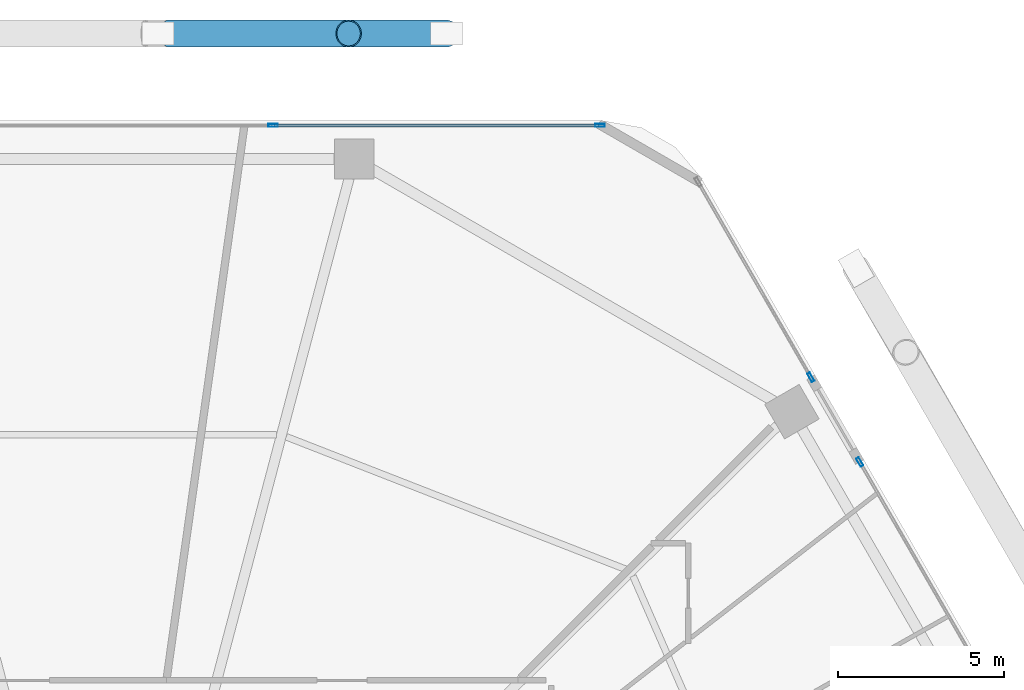
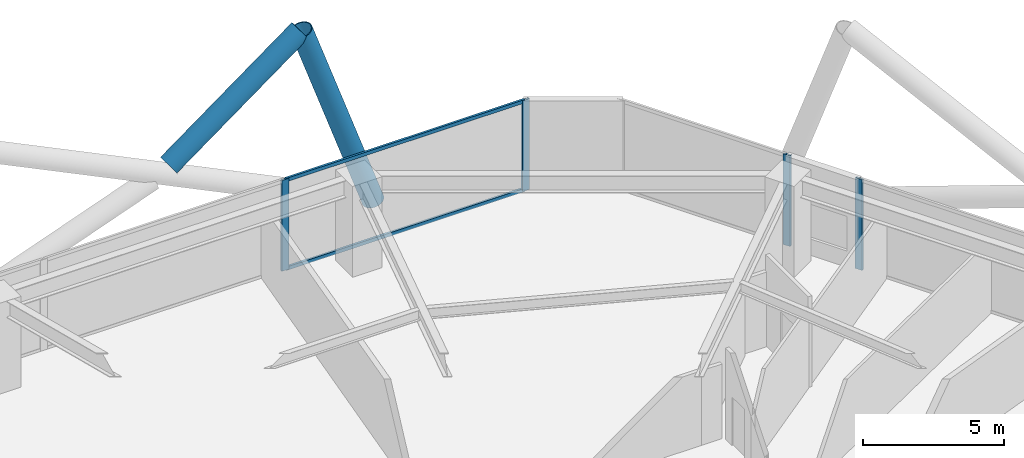
# One storey, part 21 of 28: 8 members, 3 elements without a shape of their own.
"""IFC4 building model written with IfcOpenShell, lengths in metres."""

import ifcopenshell
import ifcopenshell.guid

model = None  # the IFC model being written
_history = None  # IfcOwnerHistory: only IFC2X3 demands one
_inside = {}  # id of a spatial element -> (the spatial element, [elements in it])
_under = {}  # id of a project, library or spatial element -> (it, [spatial elements below it])
_declared = {}  # id of a project -> (the project, [libraries it declares])
_typed = {}  # id of a type object -> (the type object, [elements of that type])
_made_of = {}  # id of a material, layer set ... -> (it, [elements and type objects made of it])


def new_model(schema):
    """Start an empty IFC model of exactly this schema.

    Asked for "IFC4X3", IfcOpenShell would pick the latest addendum, in which some entities
    have other attributes; the version numbers below select the first issue.
    IFC2X3 requires an IfcOwnerHistory on every rooted entity: one is made here for all.
    """
    global model, _history
    if schema == "IFC4X3":
        model = ifcopenshell.file(schema_version=(4, 3, 0, 0))
    else:
        model = ifcopenshell.file(schema=schema)
    _inside.clear()
    _under.clear()
    _declared.clear()
    _typed.clear()
    _made_of.clear()
    _history = None
    if model.schema == "IFC2X3":
        org = make("IfcOrganization", Name="unknown")
        user = make(
            "IfcPersonAndOrganization",
            ThePerson=make("IfcPerson", FamilyName="unknown"),
            TheOrganization=org,
        )
        app = make(
            "IfcApplication",
            ApplicationDeveloper=org,
            Version="unknown",
            ApplicationFullName="unknown",
            ApplicationIdentifier="unknown",
        )
        _history = make(
            "IfcOwnerHistory",
            OwningUser=user,
            OwningApplication=app,
            ChangeAction="ADDED",
            CreationDate=0,
        )
    return model


def make(cls, **values):
    """One entity of the class cls with the attributes given. An attribute that is None is left unset."""
    return model.create_entity(
        cls, **{name: value for name, value in values.items() if value is not None}
    )


def rooted(cls, **values):
    """An entity with a GlobalId (a new one), such as an element, a storey or a relation."""
    return make(cls, GlobalId=ifcopenshell.guid.new(), OwnerHistory=_history, **values)


def si_unit(unit_type, name, prefix=None):
    """IfcSIUnit, for example si_unit("LENGTHUNIT", "METRE", prefix="MILLI")."""
    return make("IfcSIUnit", UnitType=unit_type, Prefix=prefix, Name=name)


def assignment(units):
    """IfcUnitAssignment: the units of a project."""
    return None if units is None else make("IfcUnitAssignment", Units=units)


def point(xyz):
    """IfcCartesianPoint."""
    return None if xyz is None else make("IfcCartesianPoint", Coordinates=xyz)


def direction(xyz):
    """IfcDirection."""
    return None if xyz is None else make("IfcDirection", DirectionRatios=xyz)


def frame(location, z_axis=None, x_axis=None):
    """IfcAxis2Placement3D, a coordinate frame: its origin and axes. An axis left out is left unset."""
    return make(
        "IfcAxis2Placement3D",
        Location=point(location),
        Axis=direction(z_axis),
        RefDirection=direction(x_axis),
    )


def frame_2d(location, x_axis=None):
    """IfcAxis2Placement2D, a coordinate frame in the plane: its origin and x axis."""
    return make(
        "IfcAxis2Placement2D", Location=point(location), RefDirection=direction(x_axis)
    )


def origin():
    """The frame at (0, 0, 0) with its axes left unset."""
    return frame((0.0, 0.0, 0.0))


def origin_2d():
    """The frame at (0, 0) in the plane with its x axis left unset."""
    return frame_2d((0.0, 0.0))


def place(relative_to, where):
    """IfcLocalPlacement: puts the frame where relative to a parent placement (None: the world)."""
    return make(
        "IfcLocalPlacement", PlacementRelTo=relative_to, RelativePlacement=where
    )


def context(
    kind, dimensions, precision=None, world=None, true_north=None, identifier=None
):
    """IfcGeometricRepresentationContext, for example the 3D "Model" context."""
    return make(
        "IfcGeometricRepresentationContext",
        ContextIdentifier=identifier,
        ContextType=kind,
        CoordinateSpaceDimension=dimensions,
        Precision=precision,
        WorldCoordinateSystem=world,
        TrueNorth=true_north,
    )


def subcontext(parent, identifier, kind, view, scale=None):
    """IfcGeometricRepresentationSubContext, for example "Body" below "Model"."""
    return make(
        "IfcGeometricRepresentationSubContext",
        ContextIdentifier=identifier,
        ContextType=kind,
        ParentContext=parent,
        TargetScale=scale,
        TargetView=view,
    )


def project(units=None, contexts=None):
    """IfcProject with its units and contexts."""
    return rooted(
        "IfcProject",
        Name="project",
        RepresentationContexts=contexts,
        UnitsInContext=assignment(units),
    )


def spatial(cls, under=None, at=None, **own):
    """A site, building, storey or space (cls), placed at a placement, below another one or the project."""
    s = rooted(cls, ObjectPlacement=at, **own)
    if under is not None:
        _under.setdefault(under.id(), (under, []))[1].append(s)
    return s


def profile(cls, at=None, kind="AREA", **sizes):
    """A parametric profile (cls). Its sizes go by their IFC names, for example OverallWidth=200.0."""
    return make(cls, ProfileType=kind, Position=at, **sizes)


def hollow_rectangle(**sizes):
    """IfcRectangleHollowProfileDef."""
    return profile("IfcRectangleHollowProfileDef", **sizes)


def hollow_circle(**sizes):
    """IfcCircleHollowProfileDef."""
    return profile("IfcCircleHollowProfileDef", **sizes)


def extrude(swept, where, along, depth):
    """IfcExtrudedAreaSolid: the profile swept, set in the frame where, extruded along a direction by depth."""
    return make(
        "IfcExtrudedAreaSolid",
        SweptArea=swept,
        Position=where,
        ExtrudedDirection=direction(along),
        Depth=depth,
    )


def shape(context_of_items, identifier, shape_type, items):
    """IfcShapeRepresentation: the items that make up one representation, for example the "Body"."""
    return make(
        "IfcShapeRepresentation",
        ContextOfItems=context_of_items,
        RepresentationIdentifier=identifier,
        RepresentationType=shape_type,
        Items=items,
    )


def material(Name=None, Category=None):
    """IfcMaterial."""
    return make("IfcMaterial", Name=Name, Category=Category)


def material_profile(
    of_material, cross_section, Name=None, Category=None, Priority=None
):
    """IfcMaterialProfile: a cross section and its material."""
    return make(
        "IfcMaterialProfile",
        Name=Name,
        Material=of_material,
        Profile=cross_section,
        Priority=Priority,
        Category=Category,
    )


def profile_set(profiles, Name=None, composite=None):
    """IfcMaterialProfileSet."""
    return make(
        "IfcMaterialProfileSet",
        Name=Name,
        MaterialProfiles=profiles,
        CompositeProfile=composite,
    )


def made_of(thing, what):
    """Note that an element or type object is made of a material, layer set ...; save() writes the relation."""
    if what is not None:
        _made_of.setdefault(what.id(), (what, []))[1].append(thing)
    return thing


def type_object(cls, material=None, **own):
    """A type object (cls), such as IfcWallType, which elements share."""
    return made_of(rooted(cls, **own), material)


def element(
    cls,
    number,
    at=None,
    inside=None,
    cuts=None,
    type_object=None,
    material=None,
    context=None,
    identifier="Body",
    shape_type=None,
    held_by="IfcProductDefinitionShape",
    body=None,
    shapes=None,
    **own,
):
    """One element of the class cls, such as IfcWall. Its Tag is "e" and its number.

    at: its placement. inside: the storey or other place that contains it. cuts: it is an
    opening in that element (IfcRelVoidsElement). A single representation is given by context,
    identifier, shape_type and body (its items); several are given by shapes. held_by: the class
    of the entity that holds the representations. save() writes the other relations.
    """
    e = rooted(cls, Tag="e%d" % number, ObjectPlacement=at, **own)
    if body is not None:
        shapes = [shape(context, identifier, shape_type, body)]
    if shapes is not None:
        e.Representation = make(held_by, Representations=shapes)
    if inside is not None:
        _inside.setdefault(inside.id(), (inside, []))[1].append(e)
    if cuts is not None:
        rooted(
            "IfcRelVoidsElement", RelatingBuildingElement=cuts, RelatedOpeningElement=e
        )
    if type_object is not None:
        _typed.setdefault(type_object.id(), (type_object, []))[1].append(e)
    return made_of(e, material)


def aggregate(whole, parts):
    """IfcRelAggregates: a whole, such as a stair, and the parts it consists of."""
    return rooted("IfcRelAggregates", RelatingObject=whole, RelatedObjects=parts)


def save(model, path):
    """Write the relations noted so far, then the file.

    IfcRelAggregates (storeys below a building ...), IfcRelContainedInSpatialStructure (elements
    in a storey), IfcRelDefinesByType, IfcRelAssociatesMaterial and IfcRelDeclares: one each for
    every whole, place, type object, material and project.
    """
    for whole, parts in _under.values():
        aggregate(whole, parts)
    for where, things in _inside.values():
        rooted(
            "IfcRelContainedInSpatialStructure",
            RelatedElements=things,
            RelatingStructure=where,
        )
    for kind, things in _typed.values():
        rooted("IfcRelDefinesByType", RelatedObjects=things, RelatingType=kind)
    for what, things in _made_of.values():
        rooted("IfcRelAssociatesMaterial", RelatedObjects=things, RelatingMaterial=what)
    for by, libraries in _declared.values():
        rooted("IfcRelDeclares", RelatingContext=by, RelatedDefinitions=libraries)
    model.write(path)


model = new_model("IFC4")

# Units and contexts
model_context = context("Model", 3, precision=1e-05, world=origin(), true_north=direction((0.0, 1.0)))
body_context = subcontext(model_context, "Body", "Model", "MODEL_VIEW")
ifc_project = project(units=[si_unit("LENGTHUNIT", "METRE"), si_unit("AREAUNIT", "SQUARE_METRE"), si_unit("VOLUMEUNIT", "CUBIC_METRE"), si_unit("PLANEANGLEUNIT", "RADIAN"), si_unit("MASSUNIT", "GRAM", prefix="KILO")], contexts=[model_context])

# Site, building, storey
site_placement = place(None, origin())
site = spatial("IfcSite", under=ifc_project, at=site_placement, CompositionType="ELEMENT")
building_placement = place(site_placement, origin())
building = spatial("IfcBuilding", under=site, at=building_placement, Name="Zuhravey Tower", CompositionType="ELEMENT")
storey_placement = place(building_placement, frame((0.0, 0.0, 24.60009765625)))
storey = spatial("IfcBuildingStorey", under=building, at=storey_placement, Name="L06", CompositionType="ELEMENT", Elevation=24.60009765625)

# Curtain wall, members
ifc_material_1 = material(Name="Thermally broken anodised aluminium", Category="aluminium")
curtain_wall_type = type_object("IfcCurtainWallType", Name="School Low-E Unitised Curtain Wall CW1", PredefinedType="NOTDEFINED", material=ifc_material_1)
curtain_wall_1_placement = place(storey_placement, origin())
curtain_wall_1 = element("IfcCurtainWall", 1, at=curtain_wall_1_placement, inside=storey, type_object=curtain_wall_type, Name="L06 CW1 CW-L06-F2-1", PredefinedType="NOTDEFINED")
ifc_material_2 = material(Name="Anodised aluminium", Category="aluminium")
ifc_material_profile_1 = material_profile(ifc_material_2, hollow_rectangle(XDim=0.090087890625, YDim=0.284912109375, WallThickness=0.0048828125, at=origin_2d()), Name="ALU-RHS-90x285x5")
ifc_profile_set_1 = profile_set([ifc_material_profile_1], Name="Anodised aluminium")
member_type_1 = type_object("IfcMemberType", Name="Curtain-Wall Mullion 90x180", PredefinedType="MULLION", material=ifc_profile_set_1)
member_1_placement = place(storey_placement, frame((40.93310546875, 60.95849609375, 0.0), z_axis=(0.0, 0.0, 1.0), x_axis=(0.0, 1.0, 0.0)))
member_1 = element("IfcMember", 2, at=member_1_placement, type_object=member_type_1, Name="CW1 mullion 3", PredefinedType="MULLION", context=body_context, shape_type="SweptSolid", body=[
    extrude(hollow_rectangle(XDim=0.090087890625, YDim=0.284912109375, WallThickness=0.0048828125, at=origin_2d()), origin(), (0.0, 0.0, 1.0), 3.919921875),
])
member_2_placement = place(storey_placement, frame((50.75439453125, 60.95849609375, 0.0), z_axis=(0.0, 0.0, 1.0), x_axis=(0.0, 1.0, 0.0)))
member_2 = element("IfcMember", 3, at=member_2_placement, type_object=member_type_1, Name="CW1 mullion 4", PredefinedType="MULLION", context=body_context, shape_type="SweptSolid", body=[
    extrude(hollow_rectangle(XDim=0.090087890625, YDim=0.284912109375, WallThickness=0.0048828125, at=origin_2d()), origin(), (0.0, 0.0, 1.0), 3.919921875),
])

# Curtain wall, member
curtain_wall_2_placement = place(storey_placement, origin())
curtain_wall_2 = element("IfcCurtainWall", 4, at=curtain_wall_2_placement, inside=storey, type_object=curtain_wall_type, Name="L06 CW1 CW-L06-F1-1", PredefinedType="NOTDEFINED")
member_3_placement = place(storey_placement, frame((57.087890625, 53.3916015625, 0.0), z_axis=(0.0, 0.0, 1.0), x_axis=(0.866029558973, 0.499992802933, 0.0)))
member_3 = element("IfcMember", 5, at=member_3_placement, type_object=member_type_1, Name="CW1 mullion 2", PredefinedType="MULLION", context=body_context, shape_type="SweptSolid", body=[
    extrude(hollow_rectangle(XDim=0.090087890625, YDim=0.284912109375, WallThickness=0.0048828125, at=origin_2d()), origin(), (0.0, 0.0, 1.0), 3.919921875),
])
aggregate(curtain_wall_2, [member_3])

curtain_wall_3_placement = place(storey_placement, origin())
curtain_wall_3 = element("IfcCurtainWall", 6, at=curtain_wall_3_placement, inside=storey, type_object=curtain_wall_type, Name="L06 CW1 CW-L06-F1-2", PredefinedType="NOTDEFINED")
member_4_placement = place(storey_placement, frame((58.557861328125, 50.845703125, 0.0), z_axis=(0.0, 0.0, 1.0), x_axis=(0.866025056944, 0.500000600745, 0.0)))
member_4 = element("IfcMember", 7, at=member_4_placement, type_object=member_type_1, Name="CW1 mullion 1", PredefinedType="MULLION", context=body_context, shape_type="SweptSolid", body=[
    extrude(hollow_rectangle(XDim=0.090087890625, YDim=0.284912109375, WallThickness=0.0048828125, at=origin_2d()), origin(), (0.0, 0.0, 1.0), 3.919921875),
])
aggregate(curtain_wall_3, [member_4])

# Member
ifc_material_profile_2 = material_profile(ifc_material_2, hollow_rectangle(XDim=0.090087890625, YDim=0.14990234375, WallThickness=0.0048828125, at=origin_2d()), Name="ALU-RHS-90x150x5")
ifc_profile_set_2 = profile_set([ifc_material_profile_2], Name="Anodised aluminium")
member_type_2 = type_object("IfcMemberType", Name="Curtain-Wall Transom 90x150", PredefinedType="USERDEFINED", material=ifc_profile_set_2)
member_5_placement = place(storey_placement, frame((40.978271484375, 60.95849609375, 0.044921875), z_axis=(1.0, 0.0, 0.0), x_axis=(0.0, 1.0, 0.0)))
member_5 = element("IfcMember", 8, at=member_5_placement, type_object=member_type_2, Name="CW1 transom 3.1", ObjectType="TRANSOM", PredefinedType="USERDEFINED", context=body_context, shape_type="SweptSolid", body=[
    extrude(hollow_rectangle(XDim=0.090087890625, YDim=0.14990234375, WallThickness=0.0048828125, at=origin_2d()), origin(), (0.0, 0.0, 1.0), 9.731201171875),
])

member_6_placement = place(storey_placement, frame((40.978271484375, 60.95849609375, 3.875), z_axis=(1.0, 0.0, 0.0), x_axis=(0.0, 1.0, 0.0)))
member_6 = element("IfcMember", 9, at=member_6_placement, type_object=member_type_2, Name="CW1 transom 3.2", ObjectType="TRANSOM", PredefinedType="USERDEFINED", context=body_context, shape_type="SweptSolid", body=[
    extrude(hollow_rectangle(XDim=0.090087890625, YDim=0.14990234375, WallThickness=0.0048828125, at=origin_2d()), origin(), (0.0, 0.0, 1.0), 9.731201171875),
])

aggregate(curtain_wall_1, [member_1, member_2, member_5, member_6])

# Members
ifc_material_3 = material(Name="Steel SM460", Category="steel")
ifc_material_profile_3 = material_profile(ifc_material_3, hollow_circle(Radius=0.406494140625, WallThickness=0.035888671875, at=origin_2d()), Name="CHS-812.8x36")
ifc_profile_set_3 = profile_set([ifc_material_profile_3], Name="Steel SM460")
member_type_3 = type_object("IfcMemberType", Name="Exoskeleton Zone 1 Diagrid CHS813x36", PredefinedType="BRACE", material=ifc_profile_set_3)
member_7_placement = place(storey_placement, frame((46.129150390625, 63.718505859375, -0.47216796875), z_axis=(-0.330642732694, 0.0, 0.943755997764), x_axis=(0.0, -1.0, 0.0)))
element("IfcMember", 10, at=member_7_placement, inside=storey, type_object=member_type_3, Name="L06 Face 2 Diagrid Brace 1", PredefinedType="BRACE", context=body_context, shape_type="SweptSolid", body=[
    extrude(hollow_circle(Radius=0.406494140625, WallThickness=0.035888671875, at=origin_2d()), origin(), (0.0, 0.0, 1.0), 8.85400390625),
])
member_8_placement = place(storey_placement, frame((37.791259765625, 63.718505859375, 3.9404296875), z_axis=(0.806163372301, 0.0, 0.59169300922), x_axis=(0.0, 1.0, 0.0)))
element("IfcMember", 11, at=member_8_placement, inside=storey, type_object=member_type_3, Name="L06 Face 2 Split Diagrid Brace 3B", PredefinedType="BRACE", context=body_context, shape_type="SweptSolid", body=[
    extrude(hollow_circle(Radius=0.406494140625, WallThickness=0.035888671875, at=origin_2d()), origin(), (0.0, 0.0, 1.0), 6.6513671875),
])

save(model, "model.ifc")
